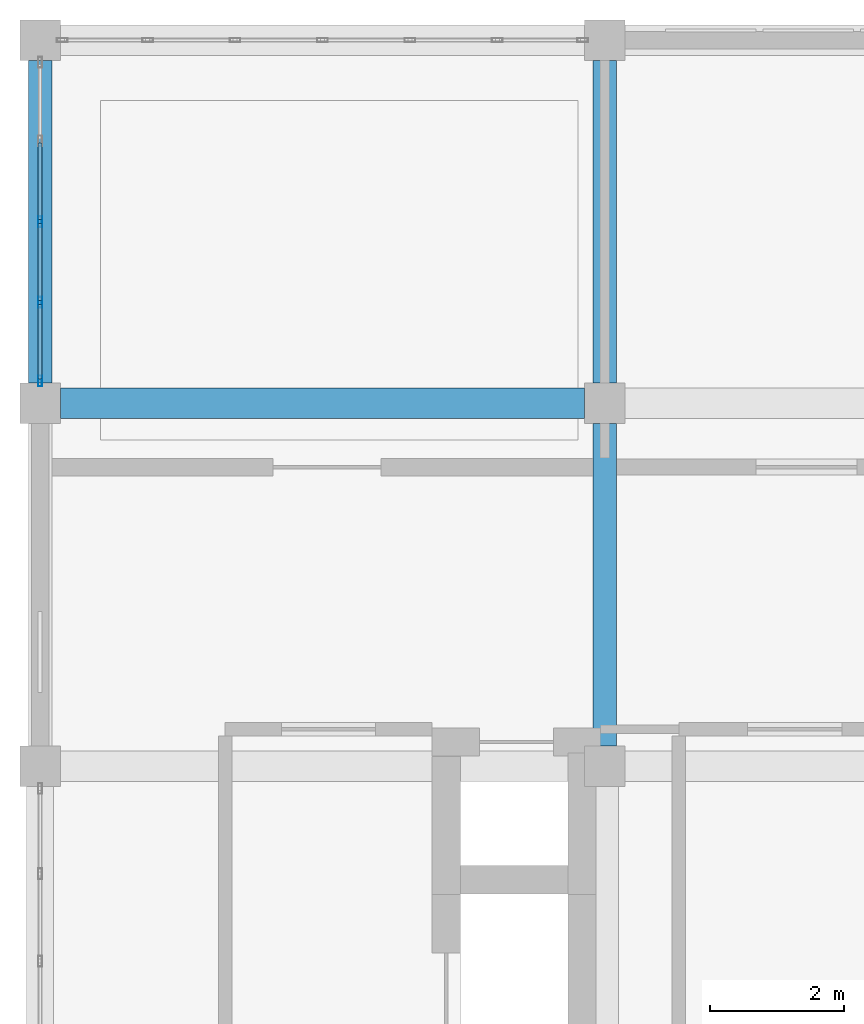
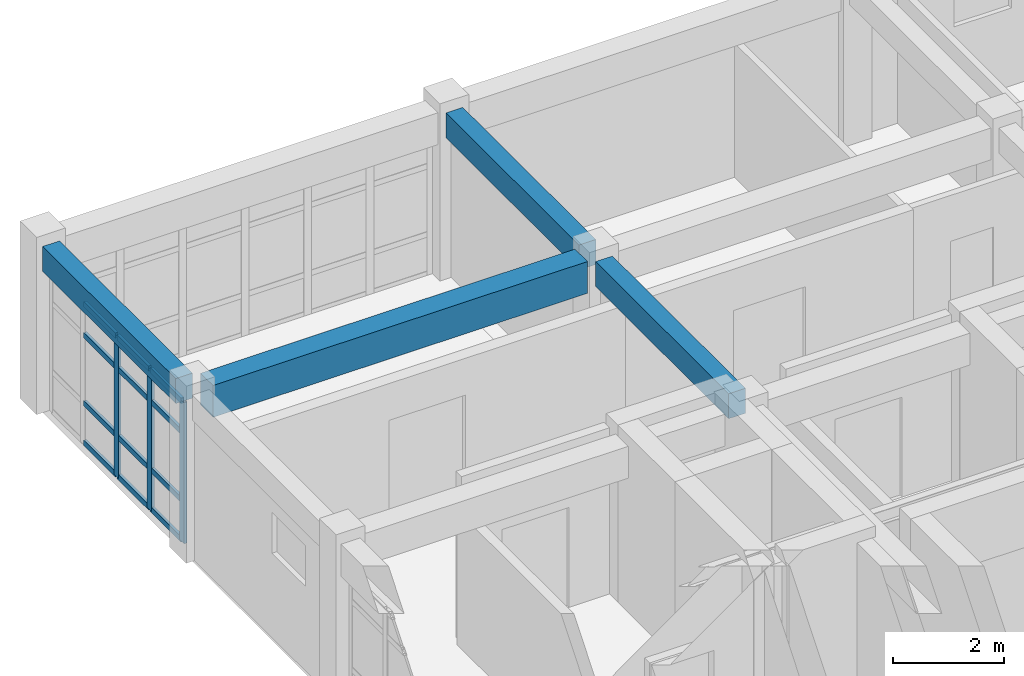
# One storey, part 9 of 17: 15 members, 4 beams, 1 element without a shape of its own.
"""IFC4 building model written with IfcOpenShell, lengths in metres."""

import ifcopenshell
import ifcopenshell.guid

model = None  # the IFC model being written
_history = None  # IfcOwnerHistory: only IFC2X3 demands one
_inside = {}  # id of a spatial element -> (the spatial element, [elements in it])
_under = {}  # id of a project, library or spatial element -> (it, [spatial elements below it])
_declared = {}  # id of a project -> (the project, [libraries it declares])
_typed = {}  # id of a type object -> (the type object, [elements of that type])
_made_of = {}  # id of a material, layer set ... -> (it, [elements and type objects made of it])


def new_model(schema):
    """Start an empty IFC model of exactly this schema.

    Asked for "IFC4X3", IfcOpenShell would pick the latest addendum, in which some entities
    have other attributes; the version numbers below select the first issue.
    IFC2X3 requires an IfcOwnerHistory on every rooted entity: one is made here for all.
    """
    global model, _history
    if schema == "IFC4X3":
        model = ifcopenshell.file(schema_version=(4, 3, 0, 0))
    else:
        model = ifcopenshell.file(schema=schema)
    _inside.clear()
    _under.clear()
    _declared.clear()
    _typed.clear()
    _made_of.clear()
    _history = None
    if model.schema == "IFC2X3":
        org = make("IfcOrganization", Name="unknown")
        user = make(
            "IfcPersonAndOrganization",
            ThePerson=make("IfcPerson", FamilyName="unknown"),
            TheOrganization=org,
        )
        app = make(
            "IfcApplication",
            ApplicationDeveloper=org,
            Version="unknown",
            ApplicationFullName="unknown",
            ApplicationIdentifier="unknown",
        )
        _history = make(
            "IfcOwnerHistory",
            OwningUser=user,
            OwningApplication=app,
            ChangeAction="ADDED",
            CreationDate=0,
        )
    return model


def make(cls, **values):
    """One entity of the class cls with the attributes given. An attribute that is None is left unset."""
    return model.create_entity(
        cls, **{name: value for name, value in values.items() if value is not None}
    )


def rooted(cls, **values):
    """An entity with a GlobalId (a new one), such as an element, a storey or a relation."""
    return make(cls, GlobalId=ifcopenshell.guid.new(), OwnerHistory=_history, **values)


def si_unit(unit_type, name, prefix=None):
    """IfcSIUnit, for example si_unit("LENGTHUNIT", "METRE", prefix="MILLI")."""
    return make("IfcSIUnit", UnitType=unit_type, Prefix=prefix, Name=name)


def assignment(units):
    """IfcUnitAssignment: the units of a project."""
    return None if units is None else make("IfcUnitAssignment", Units=units)


def point(xyz):
    """IfcCartesianPoint."""
    return None if xyz is None else make("IfcCartesianPoint", Coordinates=xyz)


def direction(xyz):
    """IfcDirection."""
    return None if xyz is None else make("IfcDirection", DirectionRatios=xyz)


def frame(location, z_axis=None, x_axis=None):
    """IfcAxis2Placement3D, a coordinate frame: its origin and axes. An axis left out is left unset."""
    return make(
        "IfcAxis2Placement3D",
        Location=point(location),
        Axis=direction(z_axis),
        RefDirection=direction(x_axis),
    )


def frame_2d(location, x_axis=None):
    """IfcAxis2Placement2D, a coordinate frame in the plane: its origin and x axis."""
    return make(
        "IfcAxis2Placement2D", Location=point(location), RefDirection=direction(x_axis)
    )


def origin():
    """The frame at (0, 0, 0) with its axes left unset."""
    return frame((0.0, 0.0, 0.0))


def origin_2d():
    """The frame at (0, 0) in the plane with its x axis left unset."""
    return frame_2d((0.0, 0.0))


def place(relative_to, where):
    """IfcLocalPlacement: puts the frame where relative to a parent placement (None: the world)."""
    return make(
        "IfcLocalPlacement", PlacementRelTo=relative_to, RelativePlacement=where
    )


def context(
    kind, dimensions, precision=None, world=None, true_north=None, identifier=None
):
    """IfcGeometricRepresentationContext, for example the 3D "Model" context."""
    return make(
        "IfcGeometricRepresentationContext",
        ContextIdentifier=identifier,
        ContextType=kind,
        CoordinateSpaceDimension=dimensions,
        Precision=precision,
        WorldCoordinateSystem=world,
        TrueNorth=true_north,
    )


def subcontext(parent, identifier, kind, view, scale=None):
    """IfcGeometricRepresentationSubContext, for example "Body" below "Model"."""
    return make(
        "IfcGeometricRepresentationSubContext",
        ContextIdentifier=identifier,
        ContextType=kind,
        ParentContext=parent,
        TargetScale=scale,
        TargetView=view,
    )


def project(units=None, contexts=None):
    """IfcProject with its units and contexts."""
    return rooted(
        "IfcProject",
        Name="project",
        RepresentationContexts=contexts,
        UnitsInContext=assignment(units),
    )


def spatial(cls, under=None, at=None, **own):
    """A site, building, storey or space (cls), placed at a placement, below another one or the project."""
    s = rooted(cls, ObjectPlacement=at, **own)
    if under is not None:
        _under.setdefault(under.id(), (under, []))[1].append(s)
    return s


def profile(cls, at=None, kind="AREA", **sizes):
    """A parametric profile (cls). Its sizes go by their IFC names, for example OverallWidth=200.0."""
    return make(cls, ProfileType=kind, Position=at, **sizes)


def rectangle(**sizes):
    """IfcRectangleProfileDef."""
    return profile("IfcRectangleProfileDef", **sizes)


def hollow_rectangle(**sizes):
    """IfcRectangleHollowProfileDef."""
    return profile("IfcRectangleHollowProfileDef", **sizes)


def extrude(swept, where, along, depth):
    """IfcExtrudedAreaSolid: the profile swept, set in the frame where, extruded along a direction by depth."""
    return make(
        "IfcExtrudedAreaSolid",
        SweptArea=swept,
        Position=where,
        ExtrudedDirection=direction(along),
        Depth=depth,
    )


def shape(context_of_items, identifier, shape_type, items):
    """IfcShapeRepresentation: the items that make up one representation, for example the "Body"."""
    return make(
        "IfcShapeRepresentation",
        ContextOfItems=context_of_items,
        RepresentationIdentifier=identifier,
        RepresentationType=shape_type,
        Items=items,
    )


def material(Name=None, Category=None):
    """IfcMaterial."""
    return make("IfcMaterial", Name=Name, Category=Category)


def layer(
    of_material, thickness, ventilated=None, Name=None, Category=None, Priority=None
):
    """IfcMaterialLayer: one layer of a wall or slab, of a material (None: an air gap)."""
    return make(
        "IfcMaterialLayer",
        Material=of_material,
        LayerThickness=thickness,
        IsVentilated=ventilated,
        Name=Name,
        Category=Category,
        Priority=Priority,
    )


def layer_set(layers, Name=None):
    """IfcMaterialLayerSet."""
    return make("IfcMaterialLayerSet", MaterialLayers=layers, LayerSetName=Name)


def material_profile(
    of_material, cross_section, Name=None, Category=None, Priority=None
):
    """IfcMaterialProfile: a cross section and its material."""
    return make(
        "IfcMaterialProfile",
        Name=Name,
        Material=of_material,
        Profile=cross_section,
        Priority=Priority,
        Category=Category,
    )


def profile_set(profiles, Name=None, composite=None):
    """IfcMaterialProfileSet."""
    return make(
        "IfcMaterialProfileSet",
        Name=Name,
        MaterialProfiles=profiles,
        CompositeProfile=composite,
    )


def made_of(thing, what):
    """Note that an element or type object is made of a material, layer set ...; save() writes the relation."""
    if what is not None:
        _made_of.setdefault(what.id(), (what, []))[1].append(thing)
    return thing


def type_object(cls, material=None, **own):
    """A type object (cls), such as IfcWallType, which elements share."""
    return made_of(rooted(cls, **own), material)


def element(
    cls,
    number,
    at=None,
    inside=None,
    cuts=None,
    type_object=None,
    material=None,
    context=None,
    identifier="Body",
    shape_type=None,
    held_by="IfcProductDefinitionShape",
    body=None,
    shapes=None,
    **own,
):
    """One element of the class cls, such as IfcWall. Its Tag is "e" and its number.

    at: its placement. inside: the storey or other place that contains it. cuts: it is an
    opening in that element (IfcRelVoidsElement). A single representation is given by context,
    identifier, shape_type and body (its items); several are given by shapes. held_by: the class
    of the entity that holds the representations. save() writes the other relations.
    """
    e = rooted(cls, Tag="e%d" % number, ObjectPlacement=at, **own)
    if body is not None:
        shapes = [shape(context, identifier, shape_type, body)]
    if shapes is not None:
        e.Representation = make(held_by, Representations=shapes)
    if inside is not None:
        _inside.setdefault(inside.id(), (inside, []))[1].append(e)
    if cuts is not None:
        rooted(
            "IfcRelVoidsElement", RelatingBuildingElement=cuts, RelatedOpeningElement=e
        )
    if type_object is not None:
        _typed.setdefault(type_object.id(), (type_object, []))[1].append(e)
    return made_of(e, material)


def aggregate(whole, parts):
    """IfcRelAggregates: a whole, such as a stair, and the parts it consists of."""
    return rooted("IfcRelAggregates", RelatingObject=whole, RelatedObjects=parts)


def save(model, path):
    """Write the relations noted so far, then the file.

    IfcRelAggregates (storeys below a building ...), IfcRelContainedInSpatialStructure (elements
    in a storey), IfcRelDefinesByType, IfcRelAssociatesMaterial and IfcRelDeclares: one each for
    every whole, place, type object, material and project.
    """
    for whole, parts in _under.values():
        aggregate(whole, parts)
    for where, things in _inside.values():
        rooted(
            "IfcRelContainedInSpatialStructure",
            RelatedElements=things,
            RelatingStructure=where,
        )
    for kind, things in _typed.values():
        rooted("IfcRelDefinesByType", RelatedObjects=things, RelatingType=kind)
    for what, things in _made_of.values():
        rooted("IfcRelAssociatesMaterial", RelatedObjects=things, RelatingMaterial=what)
    for by, libraries in _declared.values():
        rooted("IfcRelDeclares", RelatingContext=by, RelatedDefinitions=libraries)
    model.write(path)


model = new_model("IFC4")

# Units and contexts
model_context = context("Model", 3, precision=1e-05, world=origin(), true_north=direction((0.0, 1.0)))
body_context = subcontext(model_context, "Body", "Model", "MODEL_VIEW")
ifc_project = project(units=[si_unit("LENGTHUNIT", "METRE"), si_unit("AREAUNIT", "SQUARE_METRE"), si_unit("VOLUMEUNIT", "CUBIC_METRE"), si_unit("PLANEANGLEUNIT", "RADIAN"), si_unit("MASSUNIT", "GRAM", prefix="KILO")], contexts=[model_context])

# Site, building, storey
site_placement = place(None, origin())
site = spatial("IfcSite", under=ifc_project, at=site_placement, CompositionType="ELEMENT")
building_placement = place(site_placement, origin())
building = spatial("IfcBuilding", under=site, at=building_placement, Name="Krzemoval Escarpment Law Courts", CompositionType="ELEMENT")
storey_placement = place(building_placement, frame((0.0, 0.0, 42.0)))
storey = spatial("IfcBuildingStorey", under=building, at=storey_placement, Name="L09", CompositionType="ELEMENT", Elevation=42.0)

# Beams
ifc_material_1 = material(Name="Concrete C40/50", Category="concrete")
ifc_material_profile_1 = material_profile(ifc_material_1, rectangle(XDim=0.35009765625, YDim=0.550048828125, at=origin_2d()), Name="RCB 350x550")
ifc_profile_set_1 = profile_set([ifc_material_profile_1], Name="Concrete C40/50")
beam_type_1 = type_object("IfcBeamType", Name="BM-RC-350x550", PredefinedType="BEAM", material=ifc_profile_set_1)
for number, where, z_axis, x_axis, name in (
    (1, (126.0, 113.699951171875, 3.385009765625), (0.0, 1.0, 0.0), (-1.0, 0.0, 0.0), "Beam FG-L09-2805"),
    (2, (134.39990234375, 108.300048828125, 3.385009765625), (0.0, 1.0, 0.0), (-1.0, 0.0, 0.0), "Beam FG-L09-2809"),
    (3, (134.39990234375, 113.699951171875, 3.385009765625), (0.0, 1.0, 0.0), (-1.0, 0.0, 0.0), "Beam FG-L09-2810"),
):
    element("IfcBeam", number, at=place(storey_placement, frame(where, z_axis=z_axis, x_axis=x_axis)), inside=storey, type_object=beam_type_1, Name=name, PredefinedType="BEAM", context=body_context, shape_type="SweptSolid", body=[
        extrude(rectangle(XDim=0.35009765625, YDim=0.550048828125, at=origin_2d()), origin(), (0.0, 0.0, 1.0), 4.800048828125),
    ])
ifc_material_2 = material(Name="Concrete C40/50", Category="concrete")
ifc_material_profile_2 = material_profile(ifc_material_2, rectangle(XDim=0.449951171875, YDim=0.699951171875, at=origin_2d()), Name="RCB 450x700")
ifc_profile_set_2 = profile_set([ifc_material_profile_2], Name="Concrete C40/50")
beam_type_2 = type_object("IfcBeamType", Name="BM-RC-450x700", PredefinedType="BEAM", material=ifc_profile_set_2)
beam_placement = place(storey_placement, frame((126.300048828125, 113.39990234375, 3.31005859375), z_axis=(1.0, 0.0, 0.0), x_axis=(0.0, 1.0, 0.0)))
element("IfcBeam", 4, at=beam_placement, inside=storey, type_object=beam_type_2, Name="Beam FG-L09-2795", PredefinedType="BEAM", context=body_context, shape_type="SweptSolid", body=[
    extrude(rectangle(XDim=0.449951171875, YDim=0.699951171875, at=origin_2d()), origin(), (0.0, 0.0, 1.0), 7.800048828125),
])

# Curtain wall, members
ifc_material_3 = material(Name="Aluminium 6063-T6", Category="aluminium")
ifc_layer = layer(ifc_material_3, 0.199951171875)
ifc_layer_set = layer_set([ifc_layer], Name="Aluminium 6063-T6")
curtain_wall_type = type_object("IfcCurtainWallType", Name="CW-CRWN-3900", PredefinedType="USERDEFINED", material=ifc_layer_set)
curtain_wall_placement = place(storey_placement, origin())
curtain_wall = element("IfcCurtainWall", 5, at=curtain_wall_placement, inside=storey, type_object=curtain_wall_type, Name="Unitised Curtain Wall FCW-L09-170", ObjectType="UNITISED_CURTAIN_WALL", PredefinedType="USERDEFINED")
ifc_material_4 = material(Name="Aluminium 6063-T6", Category="aluminium")
ifc_material_profile_3 = material_profile(ifc_material_4, hollow_rectangle(XDim=0.06005859375, YDim=0.159912109375, WallThickness=0.00390625, at=origin_2d()), Name="ALU M60x160")
ifc_profile_set_3 = profile_set([ifc_material_profile_3], Name="Aluminium 6063-T6")
member_type_1 = type_object("IfcMemberType", Name="CWM-60x160", PredefinedType="MULLION", material=ifc_profile_set_3)
member_1_placement = place(storey_placement, frame((126.0, 113.72998046875, 0.0), z_axis=(0.0, 0.0, 1.0), x_axis=(-1.0, 0.0, 0.0)))
member_1 = element("IfcMember", 6, at=member_1_placement, type_object=member_type_1, Name="FCW-L09-170 mullion 1", PredefinedType="MULLION", context=body_context, shape_type="SweptSolid", body=[
    extrude(hollow_rectangle(XDim=0.06005859375, YDim=0.159912109375, WallThickness=0.00390625, at=origin_2d()), origin(), (0.0, 0.0, 1.0), 3.110107421875),
])
member_2_placement = place(storey_placement, frame((126.0, 114.89990234375, 0.0), z_axis=(0.0, 0.0, 1.0), x_axis=(-1.0, 0.0, 0.0)))
member_2 = element("IfcMember", 7, at=member_2_placement, type_object=member_type_1, Name="FCW-L09-170 mullion 2", PredefinedType="MULLION", context=body_context, shape_type="SweptSolid", body=[
    extrude(hollow_rectangle(XDim=0.06005859375, YDim=0.159912109375, WallThickness=0.00390625, at=origin_2d()), origin(), (0.0, 0.0, 1.0), 3.110107421875),
])
member_3_placement = place(storey_placement, frame((126.0, 116.10009765625, 0.0), z_axis=(0.0, 0.0, 1.0), x_axis=(-1.0, 0.0, 0.0)))
member_3 = element("IfcMember", 8, at=member_3_placement, type_object=member_type_1, Name="FCW-L09-170 mullion 3", PredefinedType="MULLION", context=body_context, shape_type="SweptSolid", body=[
    extrude(hollow_rectangle(XDim=0.06005859375, YDim=0.159912109375, WallThickness=0.00390625, at=origin_2d()), origin(), (0.0, 0.0, 1.0), 3.110107421875),
])
ifc_material_5 = material(Name="Aluminium 6063-T6", Category="aluminium")
ifc_material_profile_4 = material_profile(ifc_material_5, hollow_rectangle(XDim=0.06005859375, YDim=0.1201171875, WallThickness=0.00390625, at=origin_2d()), Name="ALU T60x120")
ifc_profile_set_4 = profile_set([ifc_material_profile_4], Name="Aluminium 6063-T6")
member_type_2 = type_object("IfcMemberType", Name="CWT-60x120", PredefinedType="USERDEFINED", material=ifc_profile_set_4)
member_4_placement = place(storey_placement, frame((126.0, 113.760009765625, 0.030029296875), z_axis=(0.0, 1.0, 0.0), x_axis=(-1.0, 0.0, 0.0)))
member_4 = element("IfcMember", 9, at=member_4_placement, type_object=member_type_2, Name="FCW-L09-170 transom 1.1", ObjectType="TRANSOM", PredefinedType="USERDEFINED", context=body_context, shape_type="SweptSolid", body=[
    extrude(hollow_rectangle(XDim=0.06005859375, YDim=0.1201171875, WallThickness=0.00390625, at=origin_2d()), origin(), (0.0, 0.0, 1.0), 1.110107421875),
])
member_5_placement = place(storey_placement, frame((126.0, 113.760009765625, 0.89990234375), z_axis=(0.0, 1.0, 0.0), x_axis=(-1.0, 0.0, 0.0)))
member_5 = element("IfcMember", 10, at=member_5_placement, type_object=member_type_2, Name="FCW-L09-170 transom 1.2", ObjectType="TRANSOM", PredefinedType="USERDEFINED", context=body_context, shape_type="SweptSolid", body=[
    extrude(hollow_rectangle(XDim=0.06005859375, YDim=0.1201171875, WallThickness=0.00390625, at=origin_2d()), origin(), (0.0, 0.0, 1.0), 1.110107421875),
])
member_6_placement = place(storey_placement, frame((126.0, 113.760009765625, 2.39990234375), z_axis=(0.0, 1.0, 0.0), x_axis=(-1.0, 0.0, 0.0)))
member_6 = element("IfcMember", 11, at=member_6_placement, type_object=member_type_2, Name="FCW-L09-170 transom 1.3", ObjectType="TRANSOM", PredefinedType="USERDEFINED", context=body_context, shape_type="SweptSolid", body=[
    extrude(hollow_rectangle(XDim=0.06005859375, YDim=0.1201171875, WallThickness=0.00390625, at=origin_2d()), origin(), (0.0, 0.0, 1.0), 1.110107421875),
])
member_7_placement = place(storey_placement, frame((126.0, 113.760009765625, 3.080078125), z_axis=(0.0, 1.0, 0.0), x_axis=(-1.0, 0.0, 0.0)))
member_7 = element("IfcMember", 12, at=member_7_placement, type_object=member_type_2, Name="FCW-L09-170 transom 1.4", ObjectType="TRANSOM", PredefinedType="USERDEFINED", context=body_context, shape_type="SweptSolid", body=[
    extrude(hollow_rectangle(XDim=0.06005859375, YDim=0.1201171875, WallThickness=0.00390625, at=origin_2d()), origin(), (0.0, 0.0, 1.0), 1.110107421875),
])
member_8_placement = place(storey_placement, frame((126.0, 114.929931640625, 0.030029296875), z_axis=(0.0, 1.0, 0.0), x_axis=(-1.0, 0.0, 0.0)))
member_8 = element("IfcMember", 13, at=member_8_placement, type_object=member_type_2, Name="FCW-L09-170 transom 2.1", ObjectType="TRANSOM", PredefinedType="USERDEFINED", context=body_context, shape_type="SweptSolid", body=[
    extrude(hollow_rectangle(XDim=0.06005859375, YDim=0.1201171875, WallThickness=0.00390625, at=origin_2d()), origin(), (0.0, 0.0, 1.0), 1.14013671875),
])
member_9_placement = place(storey_placement, frame((126.0, 114.929931640625, 0.89990234375), z_axis=(0.0, 1.0, 0.0), x_axis=(-1.0, 0.0, 0.0)))
member_9 = element("IfcMember", 14, at=member_9_placement, type_object=member_type_2, Name="FCW-L09-170 transom 2.2", ObjectType="TRANSOM", PredefinedType="USERDEFINED", context=body_context, shape_type="SweptSolid", body=[
    extrude(hollow_rectangle(XDim=0.06005859375, YDim=0.1201171875, WallThickness=0.00390625, at=origin_2d()), origin(), (0.0, 0.0, 1.0), 1.14013671875),
])
member_10_placement = place(storey_placement, frame((126.0, 114.929931640625, 2.39990234375), z_axis=(0.0, 1.0, 0.0), x_axis=(-1.0, 0.0, 0.0)))
member_10 = element("IfcMember", 15, at=member_10_placement, type_object=member_type_2, Name="FCW-L09-170 transom 2.3", ObjectType="TRANSOM", PredefinedType="USERDEFINED", context=body_context, shape_type="SweptSolid", body=[
    extrude(hollow_rectangle(XDim=0.06005859375, YDim=0.1201171875, WallThickness=0.00390625, at=origin_2d()), origin(), (0.0, 0.0, 1.0), 1.14013671875),
])
member_11_placement = place(storey_placement, frame((126.0, 114.929931640625, 3.080078125), z_axis=(0.0, 1.0, 0.0), x_axis=(-1.0, 0.0, 0.0)))
member_11 = element("IfcMember", 16, at=member_11_placement, type_object=member_type_2, Name="FCW-L09-170 transom 2.4", ObjectType="TRANSOM", PredefinedType="USERDEFINED", context=body_context, shape_type="SweptSolid", body=[
    extrude(hollow_rectangle(XDim=0.06005859375, YDim=0.1201171875, WallThickness=0.00390625, at=origin_2d()), origin(), (0.0, 0.0, 1.0), 1.14013671875),
])
member_12_placement = place(storey_placement, frame((126.0, 116.1298828125, 0.030029296875), z_axis=(0.0, 1.0, 0.0), x_axis=(-1.0, 0.0, 0.0)))
member_12 = element("IfcMember", 17, at=member_12_placement, type_object=member_type_2, Name="FCW-L09-170 transom 3.1", ObjectType="TRANSOM", PredefinedType="USERDEFINED", context=body_context, shape_type="SweptSolid", body=[
    extrude(hollow_rectangle(XDim=0.06005859375, YDim=0.1201171875, WallThickness=0.00390625, at=origin_2d()), origin(), (0.0, 0.0, 1.0), 1.14013671875),
])
member_13_placement = place(storey_placement, frame((126.0, 116.1298828125, 0.89990234375), z_axis=(0.0, 1.0, 0.0), x_axis=(-1.0, 0.0, 0.0)))
member_13 = element("IfcMember", 18, at=member_13_placement, type_object=member_type_2, Name="FCW-L09-170 transom 3.2", ObjectType="TRANSOM", PredefinedType="USERDEFINED", context=body_context, shape_type="SweptSolid", body=[
    extrude(hollow_rectangle(XDim=0.06005859375, YDim=0.1201171875, WallThickness=0.00390625, at=origin_2d()), origin(), (0.0, 0.0, 1.0), 1.14013671875),
])
member_14_placement = place(storey_placement, frame((126.0, 116.1298828125, 2.39990234375), z_axis=(0.0, 1.0, 0.0), x_axis=(-1.0, 0.0, 0.0)))
member_14 = element("IfcMember", 19, at=member_14_placement, type_object=member_type_2, Name="FCW-L09-170 transom 3.3", ObjectType="TRANSOM", PredefinedType="USERDEFINED", context=body_context, shape_type="SweptSolid", body=[
    extrude(hollow_rectangle(XDim=0.06005859375, YDim=0.1201171875, WallThickness=0.00390625, at=origin_2d()), origin(), (0.0, 0.0, 1.0), 1.14013671875),
])
member_15_placement = place(storey_placement, frame((126.0, 116.1298828125, 3.080078125), z_axis=(0.0, 1.0, 0.0), x_axis=(-1.0, 0.0, 0.0)))
member_15 = element("IfcMember", 20, at=member_15_placement, type_object=member_type_2, Name="FCW-L09-170 transom 3.4", ObjectType="TRANSOM", PredefinedType="USERDEFINED", context=body_context, shape_type="SweptSolid", body=[
    extrude(hollow_rectangle(XDim=0.06005859375, YDim=0.1201171875, WallThickness=0.00390625, at=origin_2d()), origin(), (0.0, 0.0, 1.0), 1.14013671875),
])
aggregate(curtain_wall, [member_1, member_2, member_3, member_4, member_5, member_6, member_7, member_8, member_9, member_10, member_11, member_12, member_13, member_14, member_15])

save(model, "model.ifc")
